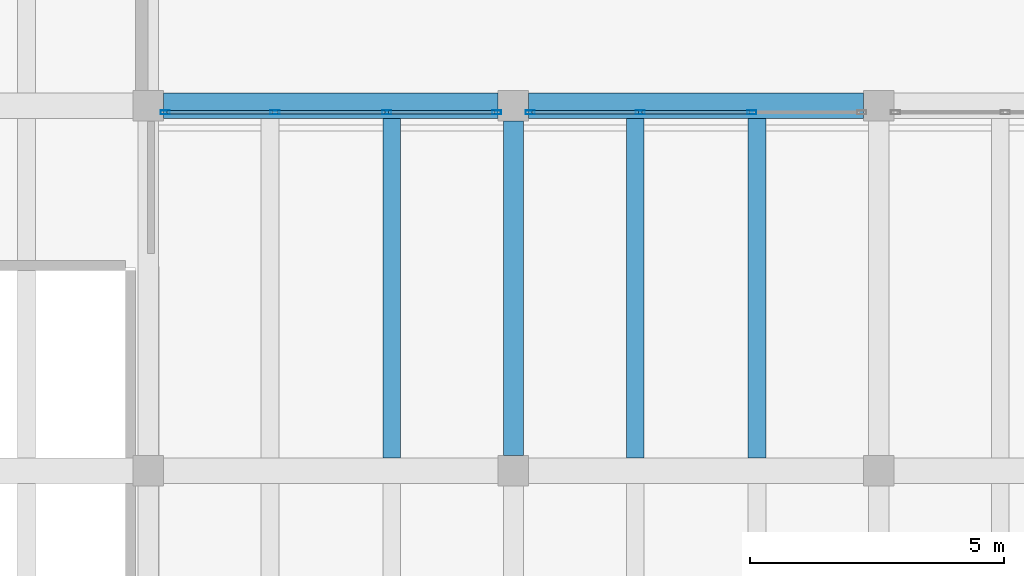
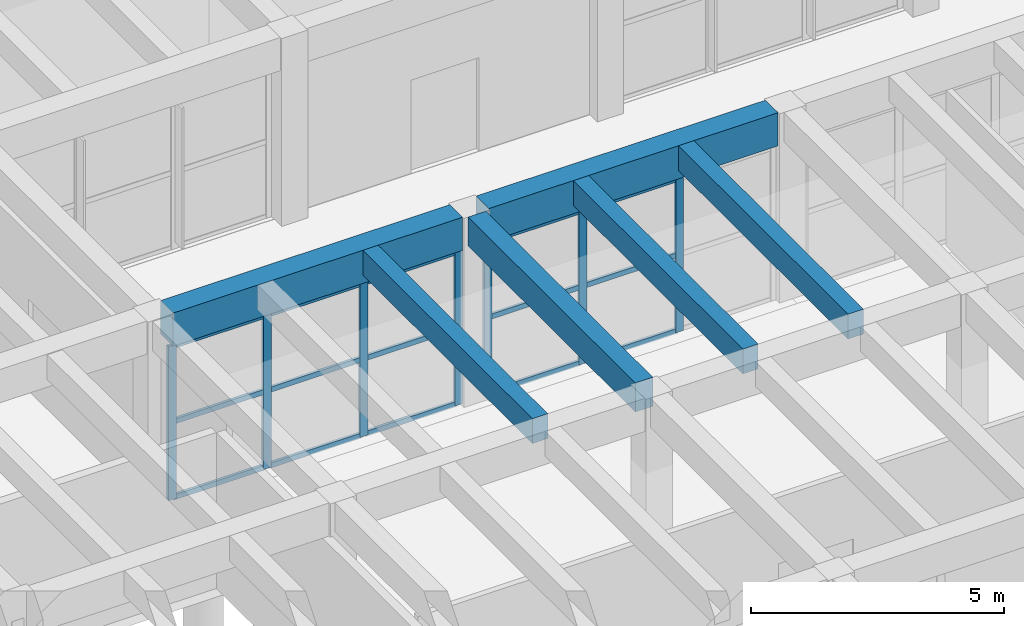
# One storey, part 66 of 155: 22 members, 6 beams, 2 elements without a shape of their own.
"""IFC4 building model written with IfcOpenShell, lengths in metres."""

import ifcopenshell
import ifcopenshell.guid

model = None  # the IFC model being written
_history = None  # IfcOwnerHistory: only IFC2X3 demands one
_inside = {}  # id of a spatial element -> (the spatial element, [elements in it])
_under = {}  # id of a project, library or spatial element -> (it, [spatial elements below it])
_declared = {}  # id of a project -> (the project, [libraries it declares])
_typed = {}  # id of a type object -> (the type object, [elements of that type])
_made_of = {}  # id of a material, layer set ... -> (it, [elements and type objects made of it])


def new_model(schema):
    """Start an empty IFC model of exactly this schema.

    Asked for "IFC4X3", IfcOpenShell would pick the latest addendum, in which some entities
    have other attributes; the version numbers below select the first issue.
    IFC2X3 requires an IfcOwnerHistory on every rooted entity: one is made here for all.
    """
    global model, _history
    if schema == "IFC4X3":
        model = ifcopenshell.file(schema_version=(4, 3, 0, 0))
    else:
        model = ifcopenshell.file(schema=schema)
    _inside.clear()
    _under.clear()
    _declared.clear()
    _typed.clear()
    _made_of.clear()
    _history = None
    if model.schema == "IFC2X3":
        org = make("IfcOrganization", Name="unknown")
        user = make(
            "IfcPersonAndOrganization",
            ThePerson=make("IfcPerson", FamilyName="unknown"),
            TheOrganization=org,
        )
        app = make(
            "IfcApplication",
            ApplicationDeveloper=org,
            Version="unknown",
            ApplicationFullName="unknown",
            ApplicationIdentifier="unknown",
        )
        _history = make(
            "IfcOwnerHistory",
            OwningUser=user,
            OwningApplication=app,
            ChangeAction="ADDED",
            CreationDate=0,
        )
    return model


def make(cls, **values):
    """One entity of the class cls with the attributes given. An attribute that is None is left unset."""
    return model.create_entity(
        cls, **{name: value for name, value in values.items() if value is not None}
    )


def rooted(cls, **values):
    """An entity with a GlobalId (a new one), such as an element, a storey or a relation."""
    return make(cls, GlobalId=ifcopenshell.guid.new(), OwnerHistory=_history, **values)


def si_unit(unit_type, name, prefix=None):
    """IfcSIUnit, for example si_unit("LENGTHUNIT", "METRE", prefix="MILLI")."""
    return make("IfcSIUnit", UnitType=unit_type, Prefix=prefix, Name=name)


def assignment(units):
    """IfcUnitAssignment: the units of a project."""
    return None if units is None else make("IfcUnitAssignment", Units=units)


def point(xyz):
    """IfcCartesianPoint."""
    return None if xyz is None else make("IfcCartesianPoint", Coordinates=xyz)


def direction(xyz):
    """IfcDirection."""
    return None if xyz is None else make("IfcDirection", DirectionRatios=xyz)


def frame(location, z_axis=None, x_axis=None):
    """IfcAxis2Placement3D, a coordinate frame: its origin and axes. An axis left out is left unset."""
    return make(
        "IfcAxis2Placement3D",
        Location=point(location),
        Axis=direction(z_axis),
        RefDirection=direction(x_axis),
    )


def frame_2d(location, x_axis=None):
    """IfcAxis2Placement2D, a coordinate frame in the plane: its origin and x axis."""
    return make(
        "IfcAxis2Placement2D", Location=point(location), RefDirection=direction(x_axis)
    )


def origin():
    """The frame at (0, 0, 0) with its axes left unset."""
    return frame((0.0, 0.0, 0.0))


def origin_2d():
    """The frame at (0, 0) in the plane with its x axis left unset."""
    return frame_2d((0.0, 0.0))


def place(relative_to, where):
    """IfcLocalPlacement: puts the frame where relative to a parent placement (None: the world)."""
    return make(
        "IfcLocalPlacement", PlacementRelTo=relative_to, RelativePlacement=where
    )


def context(
    kind, dimensions, precision=None, world=None, true_north=None, identifier=None
):
    """IfcGeometricRepresentationContext, for example the 3D "Model" context."""
    return make(
        "IfcGeometricRepresentationContext",
        ContextIdentifier=identifier,
        ContextType=kind,
        CoordinateSpaceDimension=dimensions,
        Precision=precision,
        WorldCoordinateSystem=world,
        TrueNorth=true_north,
    )


def subcontext(parent, identifier, kind, view, scale=None):
    """IfcGeometricRepresentationSubContext, for example "Body" below "Model"."""
    return make(
        "IfcGeometricRepresentationSubContext",
        ContextIdentifier=identifier,
        ContextType=kind,
        ParentContext=parent,
        TargetScale=scale,
        TargetView=view,
    )


def project(units=None, contexts=None):
    """IfcProject with its units and contexts."""
    return rooted(
        "IfcProject",
        Name="project",
        RepresentationContexts=contexts,
        UnitsInContext=assignment(units),
    )


def spatial(cls, under=None, at=None, **own):
    """A site, building, storey or space (cls), placed at a placement, below another one or the project."""
    s = rooted(cls, ObjectPlacement=at, **own)
    if under is not None:
        _under.setdefault(under.id(), (under, []))[1].append(s)
    return s


def profile(cls, at=None, kind="AREA", **sizes):
    """A parametric profile (cls). Its sizes go by their IFC names, for example OverallWidth=200.0."""
    return make(cls, ProfileType=kind, Position=at, **sizes)


def rectangle(**sizes):
    """IfcRectangleProfileDef."""
    return profile("IfcRectangleProfileDef", **sizes)


def hollow_rectangle(**sizes):
    """IfcRectangleHollowProfileDef."""
    return profile("IfcRectangleHollowProfileDef", **sizes)


def extrude(swept, where, along, depth):
    """IfcExtrudedAreaSolid: the profile swept, set in the frame where, extruded along a direction by depth."""
    return make(
        "IfcExtrudedAreaSolid",
        SweptArea=swept,
        Position=where,
        ExtrudedDirection=direction(along),
        Depth=depth,
    )


def shape(context_of_items, identifier, shape_type, items):
    """IfcShapeRepresentation: the items that make up one representation, for example the "Body"."""
    return make(
        "IfcShapeRepresentation",
        ContextOfItems=context_of_items,
        RepresentationIdentifier=identifier,
        RepresentationType=shape_type,
        Items=items,
    )


def material(Name=None, Category=None):
    """IfcMaterial."""
    return make("IfcMaterial", Name=Name, Category=Category)


def material_profile(
    of_material, cross_section, Name=None, Category=None, Priority=None
):
    """IfcMaterialProfile: a cross section and its material."""
    return make(
        "IfcMaterialProfile",
        Name=Name,
        Material=of_material,
        Profile=cross_section,
        Priority=Priority,
        Category=Category,
    )


def profile_set(profiles, Name=None, composite=None):
    """IfcMaterialProfileSet."""
    return make(
        "IfcMaterialProfileSet",
        Name=Name,
        MaterialProfiles=profiles,
        CompositeProfile=composite,
    )


def made_of(thing, what):
    """Note that an element or type object is made of a material, layer set ...; save() writes the relation."""
    if what is not None:
        _made_of.setdefault(what.id(), (what, []))[1].append(thing)
    return thing


def type_object(cls, material=None, **own):
    """A type object (cls), such as IfcWallType, which elements share."""
    return made_of(rooted(cls, **own), material)


def element(
    cls,
    number,
    at=None,
    inside=None,
    cuts=None,
    type_object=None,
    material=None,
    context=None,
    identifier="Body",
    shape_type=None,
    held_by="IfcProductDefinitionShape",
    body=None,
    shapes=None,
    **own,
):
    """One element of the class cls, such as IfcWall. Its Tag is "e" and its number.

    at: its placement. inside: the storey or other place that contains it. cuts: it is an
    opening in that element (IfcRelVoidsElement). A single representation is given by context,
    identifier, shape_type and body (its items); several are given by shapes. held_by: the class
    of the entity that holds the representations. save() writes the other relations.
    """
    e = rooted(cls, Tag="e%d" % number, ObjectPlacement=at, **own)
    if body is not None:
        shapes = [shape(context, identifier, shape_type, body)]
    if shapes is not None:
        e.Representation = make(held_by, Representations=shapes)
    if inside is not None:
        _inside.setdefault(inside.id(), (inside, []))[1].append(e)
    if cuts is not None:
        rooted(
            "IfcRelVoidsElement", RelatingBuildingElement=cuts, RelatedOpeningElement=e
        )
    if type_object is not None:
        _typed.setdefault(type_object.id(), (type_object, []))[1].append(e)
    return made_of(e, material)


def aggregate(whole, parts):
    """IfcRelAggregates: a whole, such as a stair, and the parts it consists of."""
    return rooted("IfcRelAggregates", RelatingObject=whole, RelatedObjects=parts)


def save(model, path):
    """Write the relations noted so far, then the file.

    IfcRelAggregates (storeys below a building ...), IfcRelContainedInSpatialStructure (elements
    in a storey), IfcRelDefinesByType, IfcRelAssociatesMaterial and IfcRelDeclares: one each for
    every whole, place, type object, material and project.
    """
    for whole, parts in _under.values():
        aggregate(whole, parts)
    for where, things in _inside.values():
        rooted(
            "IfcRelContainedInSpatialStructure",
            RelatedElements=things,
            RelatingStructure=where,
        )
    for kind, things in _typed.values():
        rooted("IfcRelDefinesByType", RelatedObjects=things, RelatingType=kind)
    for what, things in _made_of.values():
        rooted("IfcRelAssociatesMaterial", RelatedObjects=things, RelatingMaterial=what)
    for by, libraries in _declared.values():
        rooted("IfcRelDeclares", RelatingContext=by, RelatedDefinitions=libraries)
    model.write(path)


model = new_model("IFC4")

# Units and contexts
model_context = context("Model", 3, precision=1e-05, world=origin(), true_north=direction((0.0, 1.0)))
body_context = subcontext(model_context, "Body", "Model", "MODEL_VIEW")
ifc_project = project(units=[si_unit("LENGTHUNIT", "METRE"), si_unit("AREAUNIT", "SQUARE_METRE"), si_unit("VOLUMEUNIT", "CUBIC_METRE"), si_unit("PLANEANGLEUNIT", "RADIAN"), si_unit("MASSUNIT", "GRAM", prefix="KILO")], contexts=[model_context])

# Site, building, storey
site_placement = place(None, origin())
site = spatial("IfcSite", under=ifc_project, at=site_placement, CompositionType="ELEMENT")
building_placement = place(site_placement, origin())
building = spatial("IfcBuilding", under=site, at=building_placement, Name="Bramvelor Terrace Health Centre", CompositionType="ELEMENT")
storey_placement = place(building_placement, origin())
storey = spatial("IfcBuildingStorey", under=building, at=storey_placement, Name="L01", CompositionType="ELEMENT", Elevation=0.0)

# Beams
ifc_material_1 = material(Name="Concrete C40/50", Category="concrete")
ifc_material_profile_1 = material_profile(ifc_material_1, rectangle(XDim=0.39990234375, YDim=0.699951171875, at=origin_2d()), Name="RC 400x700")
ifc_profile_set_1 = profile_set([ifc_material_profile_1], Name="Concrete C40/50")
beam_type_1 = type_object("IfcBeamType", Name="BM-RC-G700", PredefinedType="BEAM", material=ifc_profile_set_1)
beam_placement = place(storey_placement, frame((57.60009765625, 72.300048828125, 4.2099609375), z_axis=(0.0, 1.0, 0.0), x_axis=(-1.0, 0.0, 0.0)))
element("IfcBeam", 1, at=beam_placement, inside=storey, type_object=beam_type_1, Name="L01 Floor Girder", PredefinedType="BEAM", context=body_context, shape_type="SweptSolid", body=[
    extrude(rectangle(XDim=0.39990234375, YDim=0.699951171875, at=origin_2d()), origin(), (0.0, 0.0, 1.0), 6.599853515625),
])
ifc_material_2 = material(Name="Concrete C40/50", Category="concrete")
ifc_material_profile_2 = material_profile(ifc_material_2, rectangle(XDim=0.5, YDim=0.800048828125, at=origin_2d()), Name="RC 500x800")
ifc_profile_set_2 = profile_set([ifc_material_profile_2], Name="Concrete C40/50")
beam_type_2 = type_object("IfcBeamType", Name="BM-RC-G800", PredefinedType="BEAM", material=ifc_profile_set_2)
for number, where, z_axis, x_axis, name in (
    (2, (50.699951171875, 79.199951171875, 4.159912109375), (1.0, 0.0, 0.0), (0.0, 1.0, 0.0), "L01 Floor Girder"),
    (3, (57.89990234375, 79.199951171875, 4.159912109375), (1.0, 0.0, 0.0), (0.0, 1.0, 0.0), "L01 Floor Girder"),
):
    element("IfcBeam", number, at=place(storey_placement, frame(where, z_axis=z_axis, x_axis=x_axis)), inside=storey, type_object=beam_type_2, Name=name, PredefinedType="BEAM", context=body_context, shape_type="SweptSolid", body=[
        extrude(rectangle(XDim=0.5, YDim=0.800048828125, at=origin_2d()), origin(), (0.0, 0.0, 1.0), 6.60009765625),
    ])
ifc_material_3 = material(Name="Concrete C40/50", Category="concrete")
ifc_material_profile_3 = material_profile(ifc_material_3, rectangle(XDim=0.35009765625, YDim=0.60009765625, at=origin_2d()), Name="RC 350x600")
ifc_profile_set_3 = profile_set([ifc_material_profile_3], Name="Concrete C40/50")
beam_type_3 = type_object("IfcBeamType", Name="BM-RC-J600", PredefinedType="JOIST", material=ifc_profile_set_3)
for number, where, z_axis, x_axis, name in (
    (4, (55.199951171875, 72.25, 4.260009765625), (0.0, 1.0, 0.0), (-1.0, 0.0, 0.0), "L01 Secondary Floor Joist"),
    (5, (60.0, 72.25, 4.260009765625), (0.0, 1.0, 0.0), (-1.0, 0.0, 0.0), "L01 Secondary Floor Joist"),
    (6, (62.39990234375, 72.25, 4.260009765625), (0.0, 1.0, 0.0), (-1.0, 0.0, 0.0), "L01 Secondary Floor Joist"),
):
    element("IfcBeam", number, at=place(storey_placement, frame(where, z_axis=z_axis, x_axis=x_axis)), inside=storey, type_object=beam_type_3, Name=name, PredefinedType="JOIST", context=body_context, shape_type="SweptSolid", body=[
        extrude(rectangle(XDim=0.35009765625, YDim=0.60009765625, at=origin_2d()), origin(), (0.0, 0.0, 1.0), 6.699951171875),
    ])

# Curtain wall, members
ifc_material_4 = material(Name="Anodized aluminium and double low-E glass", Category="aluminium")
curtain_wall_type = type_object("IfcCurtainWallType", Name="CW-SYS-02", PredefinedType="NOTDEFINED", material=ifc_material_4)
curtain_wall_1_placement = place(storey_placement, origin())
curtain_wall_1 = element("IfcCurtainWall", 7, at=curtain_wall_1_placement, inside=storey, type_object=curtain_wall_type, Name="L01 Unitized Curtain Wall 29", PredefinedType="NOTDEFINED")
ifc_material_5 = material(Name="Anodized aluminium 6063-T6", Category="aluminium")
ifc_material_profile_4 = material_profile(ifc_material_5, hollow_rectangle(XDim=0.074951171875, YDim=0.179931640625, WallThickness=0.00341796875, at=origin_2d()), Name="ALU-MUL 75x180x3.5")
ifc_profile_set_4 = profile_set([ifc_material_profile_4], Name="Anodized aluminium 6063-T6")
member_type_1 = type_object("IfcMemberType", Name="CW-MUL-65x180", PredefinedType="MULLION", material=ifc_profile_set_4)
member_1_placement = place(storey_placement, frame((50.732421875, 79.070068359375, 0.0), z_axis=(0.0, 0.0, 1.0), x_axis=(0.0, 1.0, 0.0)))
member_1 = element("IfcMember", 8, at=member_1_placement, type_object=member_type_1, Name="CW-02 mullion 1", PredefinedType="MULLION", context=body_context, shape_type="SweptSolid", body=[
    extrude(hollow_rectangle(XDim=0.074951171875, YDim=0.179931640625, WallThickness=0.00341796875, at=origin_2d()), origin(), (0.0, 0.0, 1.0), 3.719970703125),
])
member_2_placement = place(storey_placement, frame((52.8984375, 79.070068359375, 0.0), z_axis=(0.0, 0.0, 1.0), x_axis=(0.0, 1.0, 0.0)))
member_2 = element("IfcMember", 9, at=member_2_placement, type_object=member_type_1, Name="CW-02 mullion 2", PredefinedType="MULLION", context=body_context, shape_type="SweptSolid", body=[
    extrude(hollow_rectangle(XDim=0.074951171875, YDim=0.179931640625, WallThickness=0.00341796875, at=origin_2d()), origin(), (0.0, 0.0, 1.0), 3.719970703125),
])
member_3_placement = place(storey_placement, frame((55.1015625, 79.070068359375, 0.0), z_axis=(0.0, 0.0, 1.0), x_axis=(0.0, 1.0, 0.0)))
member_3 = element("IfcMember", 10, at=member_3_placement, type_object=member_type_1, Name="CW-02 mullion 3", PredefinedType="MULLION", context=body_context, shape_type="SweptSolid", body=[
    extrude(hollow_rectangle(XDim=0.074951171875, YDim=0.179931640625, WallThickness=0.00341796875, at=origin_2d()), origin(), (0.0, 0.0, 1.0), 3.719970703125),
])
member_4_placement = place(storey_placement, frame((57.267578125, 79.070068359375, 0.0), z_axis=(0.0, 0.0, 1.0), x_axis=(0.0, 1.0, 0.0)))
member_4 = element("IfcMember", 11, at=member_4_placement, type_object=member_type_1, Name="CW-02 mullion 4", PredefinedType="MULLION", context=body_context, shape_type="SweptSolid", body=[
    extrude(hollow_rectangle(XDim=0.074951171875, YDim=0.179931640625, WallThickness=0.00341796875, at=origin_2d()), origin(), (0.0, 0.0, 1.0), 3.719970703125),
])

curtain_wall_2_placement = place(storey_placement, origin())
curtain_wall_2 = element("IfcCurtainWall", 12, at=curtain_wall_2_placement, inside=storey, type_object=curtain_wall_type, Name="L01 Unitized Curtain Wall 30", PredefinedType="NOTDEFINED")
member_5_placement = place(storey_placement, frame((57.9326171875, 79.070068359375, 0.0), z_axis=(0.0, 0.0, 1.0), x_axis=(0.0, 1.0, 0.0)))
member_5 = element("IfcMember", 13, at=member_5_placement, type_object=member_type_1, Name="CW-02 mullion 1", PredefinedType="MULLION", context=body_context, shape_type="SweptSolid", body=[
    extrude(hollow_rectangle(XDim=0.074951171875, YDim=0.179931640625, WallThickness=0.00341796875, at=origin_2d()), origin(), (0.0, 0.0, 1.0), 3.719970703125),
])
member_6_placement = place(storey_placement, frame((60.098388671875, 79.070068359375, 0.0), z_axis=(0.0, 0.0, 1.0), x_axis=(0.0, 1.0, 0.0)))
member_6 = element("IfcMember", 14, at=member_6_placement, type_object=member_type_1, Name="CW-02 mullion 2", PredefinedType="MULLION", context=body_context, shape_type="SweptSolid", body=[
    extrude(hollow_rectangle(XDim=0.074951171875, YDim=0.179931640625, WallThickness=0.00341796875, at=origin_2d()), origin(), (0.0, 0.0, 1.0), 3.719970703125),
])
member_7_placement = place(storey_placement, frame((62.3017578125, 79.070068359375, 0.0), z_axis=(0.0, 0.0, 1.0), x_axis=(0.0, 1.0, 0.0)))
member_7 = element("IfcMember", 15, at=member_7_placement, type_object=member_type_1, Name="CW-02 mullion 3", PredefinedType="MULLION", context=body_context, shape_type="SweptSolid", body=[
    extrude(hollow_rectangle(XDim=0.074951171875, YDim=0.179931640625, WallThickness=0.00341796875, at=origin_2d()), origin(), (0.0, 0.0, 1.0), 3.719970703125),
])

# Member
ifc_material_6 = material(Name="Anodized aluminium 6063-T6", Category="aluminium")
ifc_material_profile_5 = material_profile(ifc_material_6, hollow_rectangle(XDim=0.06494140625, YDim=0.1201171875, WallThickness=0.0029296875, at=origin_2d()), Name="ALU-TRN 65x120x3.0")
ifc_profile_set_5 = profile_set([ifc_material_profile_5], Name="Anodized aluminium 6063-T6")
member_type_2 = type_object("IfcMemberType", Name="CW-TRN-65x150", PredefinedType="USERDEFINED", material=ifc_profile_set_5)
member_8_placement = place(storey_placement, frame((50.77001953125, 79.070068359375, 0.032470703125), z_axis=(1.0, 0.0, 0.0), x_axis=(0.0, 1.0, 0.0)))
member_8 = element("IfcMember", 16, at=member_8_placement, type_object=member_type_2, Name="CW-02 transom 1.1", ObjectType="TRANSOM", PredefinedType="USERDEFINED", context=body_context, shape_type="SweptSolid", body=[
    extrude(hollow_rectangle(XDim=0.06494140625, YDim=0.1201171875, WallThickness=0.0029296875, at=origin_2d()), origin(), (0.0, 0.0, 1.0), 2.0908203125),
])

member_9_placement = place(storey_placement, frame((50.77001953125, 79.070068359375, 1.860107421875), z_axis=(1.0, 0.0, 0.0), x_axis=(0.0, 1.0, 0.0)))
member_9 = element("IfcMember", 17, at=member_9_placement, type_object=member_type_2, Name="CW-02 transom 1.2", ObjectType="TRANSOM", PredefinedType="USERDEFINED", context=body_context, shape_type="SweptSolid", body=[
    extrude(hollow_rectangle(XDim=0.06494140625, YDim=0.1201171875, WallThickness=0.0029296875, at=origin_2d()), origin(), (0.0, 0.0, 1.0), 2.0908203125),
])

member_10_placement = place(storey_placement, frame((50.77001953125, 79.070068359375, 3.6875), z_axis=(1.0, 0.0, 0.0), x_axis=(0.0, 1.0, 0.0)))
member_10 = element("IfcMember", 18, at=member_10_placement, type_object=member_type_2, Name="CW-02 transom 1.3", ObjectType="TRANSOM", PredefinedType="USERDEFINED", context=body_context, shape_type="SweptSolid", body=[
    extrude(hollow_rectangle(XDim=0.06494140625, YDim=0.1201171875, WallThickness=0.0029296875, at=origin_2d()), origin(), (0.0, 0.0, 1.0), 2.0908203125),
])

member_11_placement = place(storey_placement, frame((52.935791015625, 79.070068359375, 0.032470703125), z_axis=(1.0, 0.0, 0.0), x_axis=(0.0, 1.0, 0.0)))
member_11 = element("IfcMember", 19, at=member_11_placement, type_object=member_type_2, Name="CW-02 transom 2.1", ObjectType="TRANSOM", PredefinedType="USERDEFINED", context=body_context, shape_type="SweptSolid", body=[
    extrude(hollow_rectangle(XDim=0.06494140625, YDim=0.1201171875, WallThickness=0.0029296875, at=origin_2d()), origin(), (0.0, 0.0, 1.0), 2.12841796875),
])

member_12_placement = place(storey_placement, frame((52.935791015625, 79.070068359375, 1.860107421875), z_axis=(1.0, 0.0, 0.0), x_axis=(0.0, 1.0, 0.0)))
member_12 = element("IfcMember", 20, at=member_12_placement, type_object=member_type_2, Name="CW-02 transom 2.2", ObjectType="TRANSOM", PredefinedType="USERDEFINED", context=body_context, shape_type="SweptSolid", body=[
    extrude(hollow_rectangle(XDim=0.06494140625, YDim=0.1201171875, WallThickness=0.0029296875, at=origin_2d()), origin(), (0.0, 0.0, 1.0), 2.12841796875),
])

member_13_placement = place(storey_placement, frame((52.935791015625, 79.070068359375, 3.6875), z_axis=(1.0, 0.0, 0.0), x_axis=(0.0, 1.0, 0.0)))
member_13 = element("IfcMember", 21, at=member_13_placement, type_object=member_type_2, Name="CW-02 transom 2.3", ObjectType="TRANSOM", PredefinedType="USERDEFINED", context=body_context, shape_type="SweptSolid", body=[
    extrude(hollow_rectangle(XDim=0.06494140625, YDim=0.1201171875, WallThickness=0.0029296875, at=origin_2d()), origin(), (0.0, 0.0, 1.0), 2.12841796875),
])

member_14_placement = place(storey_placement, frame((55.13916015625, 79.070068359375, 0.032470703125), z_axis=(1.0, 0.0, 0.0), x_axis=(0.0, 1.0, 0.0)))
member_14 = element("IfcMember", 22, at=member_14_placement, type_object=member_type_2, Name="CW-02 transom 3.1", ObjectType="TRANSOM", PredefinedType="USERDEFINED", context=body_context, shape_type="SweptSolid", body=[
    extrude(hollow_rectangle(XDim=0.06494140625, YDim=0.1201171875, WallThickness=0.0029296875, at=origin_2d()), origin(), (0.0, 0.0, 1.0), 2.0908203125),
])

member_15_placement = place(storey_placement, frame((55.13916015625, 79.070068359375, 1.860107421875), z_axis=(1.0, 0.0, 0.0), x_axis=(0.0, 1.0, 0.0)))
member_15 = element("IfcMember", 23, at=member_15_placement, type_object=member_type_2, Name="CW-02 transom 3.2", ObjectType="TRANSOM", PredefinedType="USERDEFINED", context=body_context, shape_type="SweptSolid", body=[
    extrude(hollow_rectangle(XDim=0.06494140625, YDim=0.1201171875, WallThickness=0.0029296875, at=origin_2d()), origin(), (0.0, 0.0, 1.0), 2.0908203125),
])

member_16_placement = place(storey_placement, frame((55.13916015625, 79.070068359375, 3.6875), z_axis=(1.0, 0.0, 0.0), x_axis=(0.0, 1.0, 0.0)))
member_16 = element("IfcMember", 24, at=member_16_placement, type_object=member_type_2, Name="CW-02 transom 3.3", ObjectType="TRANSOM", PredefinedType="USERDEFINED", context=body_context, shape_type="SweptSolid", body=[
    extrude(hollow_rectangle(XDim=0.06494140625, YDim=0.1201171875, WallThickness=0.0029296875, at=origin_2d()), origin(), (0.0, 0.0, 1.0), 2.0908203125),
])

aggregate(curtain_wall_1, [member_1, member_2, member_3, member_4, member_8, member_9, member_10, member_11, member_12, member_13, member_14, member_15, member_16])

member_17_placement = place(storey_placement, frame((57.969970703125, 79.070068359375, 0.032470703125), z_axis=(1.0, 0.0, 0.0), x_axis=(0.0, 1.0, 0.0)))
member_17 = element("IfcMember", 25, at=member_17_placement, type_object=member_type_2, Name="CW-02 transom 1.1", ObjectType="TRANSOM", PredefinedType="USERDEFINED", context=body_context, shape_type="SweptSolid", body=[
    extrude(hollow_rectangle(XDim=0.06494140625, YDim=0.1201171875, WallThickness=0.0029296875, at=origin_2d()), origin(), (0.0, 0.0, 1.0), 2.0908203125),
])

member_18_placement = place(storey_placement, frame((57.969970703125, 79.070068359375, 1.860107421875), z_axis=(1.0, 0.0, 0.0), x_axis=(0.0, 1.0, 0.0)))
member_18 = element("IfcMember", 26, at=member_18_placement, type_object=member_type_2, Name="CW-02 transom 1.2", ObjectType="TRANSOM", PredefinedType="USERDEFINED", context=body_context, shape_type="SweptSolid", body=[
    extrude(hollow_rectangle(XDim=0.06494140625, YDim=0.1201171875, WallThickness=0.0029296875, at=origin_2d()), origin(), (0.0, 0.0, 1.0), 2.0908203125),
])

member_19_placement = place(storey_placement, frame((57.969970703125, 79.070068359375, 3.6875), z_axis=(1.0, 0.0, 0.0), x_axis=(0.0, 1.0, 0.0)))
member_19 = element("IfcMember", 27, at=member_19_placement, type_object=member_type_2, Name="CW-02 transom 1.3", ObjectType="TRANSOM", PredefinedType="USERDEFINED", context=body_context, shape_type="SweptSolid", body=[
    extrude(hollow_rectangle(XDim=0.06494140625, YDim=0.1201171875, WallThickness=0.0029296875, at=origin_2d()), origin(), (0.0, 0.0, 1.0), 2.0908203125),
])

member_20_placement = place(storey_placement, frame((60.1357421875, 79.070068359375, 0.032470703125), z_axis=(1.0, 0.0, 0.0), x_axis=(0.0, 1.0, 0.0)))
member_20 = element("IfcMember", 28, at=member_20_placement, type_object=member_type_2, Name="CW-02 transom 2.1", ObjectType="TRANSOM", PredefinedType="USERDEFINED", context=body_context, shape_type="SweptSolid", body=[
    extrude(hollow_rectangle(XDim=0.06494140625, YDim=0.1201171875, WallThickness=0.0029296875, at=origin_2d()), origin(), (0.0, 0.0, 1.0), 2.12841796875),
])

member_21_placement = place(storey_placement, frame((60.1357421875, 79.070068359375, 1.860107421875), z_axis=(1.0, 0.0, 0.0), x_axis=(0.0, 1.0, 0.0)))
member_21 = element("IfcMember", 29, at=member_21_placement, type_object=member_type_2, Name="CW-02 transom 2.2", ObjectType="TRANSOM", PredefinedType="USERDEFINED", context=body_context, shape_type="SweptSolid", body=[
    extrude(hollow_rectangle(XDim=0.06494140625, YDim=0.1201171875, WallThickness=0.0029296875, at=origin_2d()), origin(), (0.0, 0.0, 1.0), 2.12841796875),
])

member_22_placement = place(storey_placement, frame((60.1357421875, 79.070068359375, 3.6875), z_axis=(1.0, 0.0, 0.0), x_axis=(0.0, 1.0, 0.0)))
member_22 = element("IfcMember", 30, at=member_22_placement, type_object=member_type_2, Name="CW-02 transom 2.3", ObjectType="TRANSOM", PredefinedType="USERDEFINED", context=body_context, shape_type="SweptSolid", body=[
    extrude(hollow_rectangle(XDim=0.06494140625, YDim=0.1201171875, WallThickness=0.0029296875, at=origin_2d()), origin(), (0.0, 0.0, 1.0), 2.12841796875),
])

aggregate(curtain_wall_2, [member_5, member_6, member_7, member_17, member_18, member_19, member_20, member_21, member_22])

save(model, "model.ifc")
